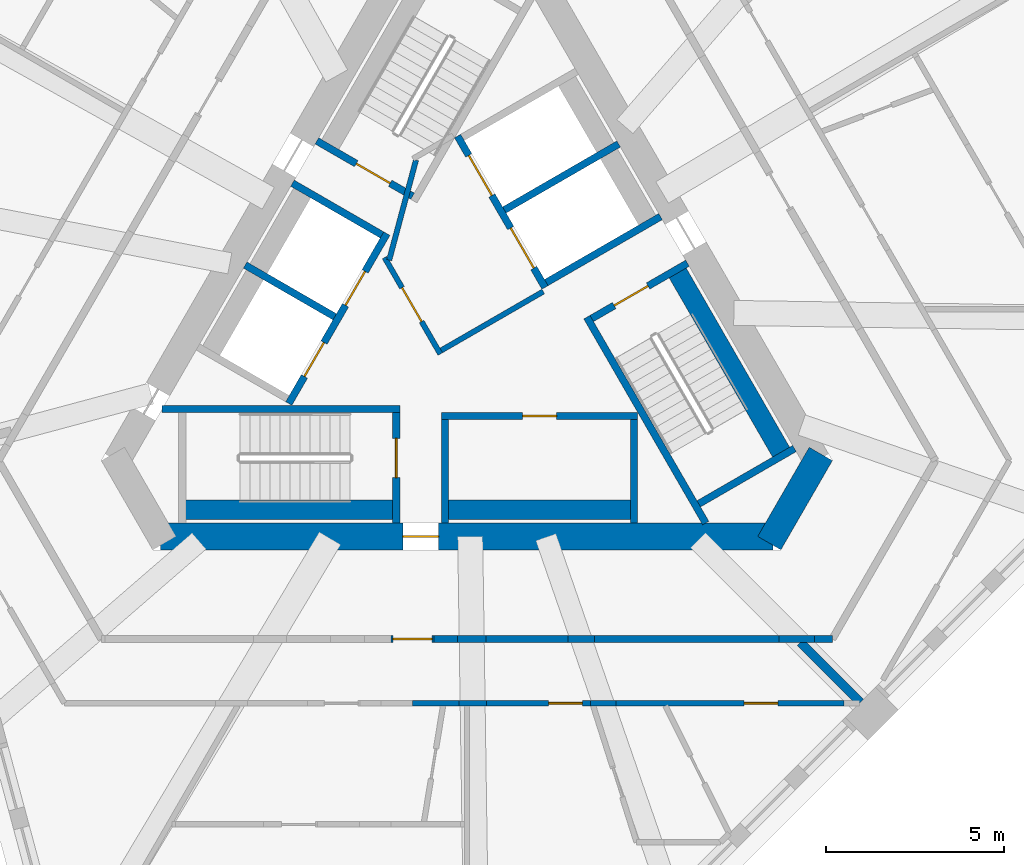
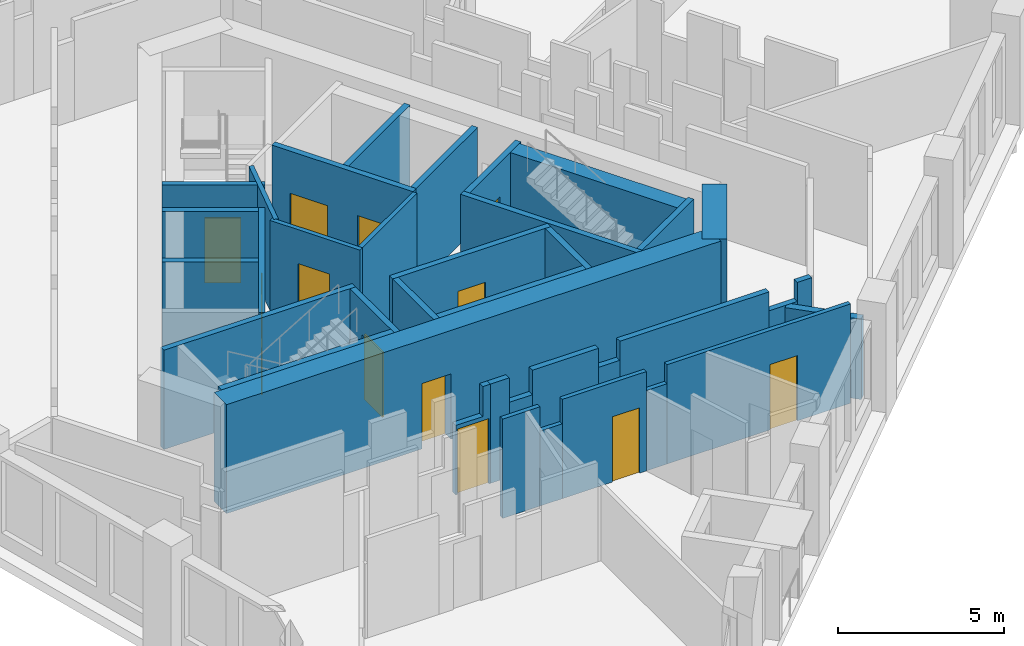
# One storey, part 4 of 13: 37 walls, 13 doors, 13 openings.
"""IFC4 building model written with IfcOpenShell, lengths in metres."""

from ifc_helpers import new_model, si_unit, direction, frame, frame_2d, origin, place, context, subcontext, project, spatial, polyline, rectangle, outline, extrude, material, layer, layer_set, type_object, element, fill, save


model = new_model("IFC4")

# Units and contexts
model_context = context("Model", 3, precision=1e-05, world=origin(), true_north=direction((0.0, 1.0)))
body_context = subcontext(model_context, "Body", "Model", "MODEL_VIEW")
ifc_project = project(units=[si_unit("LENGTHUNIT", "METRE"), si_unit("AREAUNIT", "SQUARE_METRE"), si_unit("VOLUMEUNIT", "CUBIC_METRE"), si_unit("PLANEANGLEUNIT", "RADIAN"), si_unit("MASSUNIT", "GRAM", prefix="KILO")], contexts=[model_context])

# Site, building, storey
site_placement = place(None, origin())
site = spatial("IfcSite", under=ifc_project, at=site_placement, CompositionType="ELEMENT")
building_placement = place(site_placement, origin())
building = spatial("IfcBuilding", under=site, at=building_placement, Name="Tramontana Tower", CompositionType="ELEMENT")
storey_placement = place(building_placement, frame((0.0, 0.0, 200.0)))
storey = spatial("IfcBuildingStorey", under=building, at=storey_placement, Name="L46", CompositionType="ELEMENT", Elevation=200.0)

# Wall, opening, door
ifc_material_1 = material(Name="Concrete 70 MPa", Category="concrete")
ifc_layer_1 = layer(ifc_material_1, 0.75)
ifc_layer_set_1 = layer_set([ifc_layer_1], Name="Core wall 750 70 MPa")
wall_type_1 = type_object("IfcWallType", Name="Core wall 750 70 MPa", PredefinedType="SHEAR", material=ifc_layer_set_1)
wall_1_placement = place(storey_placement, frame((-8.588134765625, -6.375, 0.0), z_axis=(0.0, 0.0, 1.0), x_axis=(1.0, 0.0, 0.0)))
wall_1 = element("IfcWall", 1, at=wall_1_placement, inside=storey, type_object=wall_type_1, Name="Core wall C3 L46", PredefinedType="SHEAR", context=body_context, shape_type="SweptSolid", body=[
    extrude(rectangle(XDim=17.17626953125, YDim=0.75, at=frame_2d((8.588134765625, 0.0))), origin(), (0.0, 0.0, 1.0), 4.0),
])
opening_1_placement = place(wall_1_placement, frame((6.793212890625, 0.0, 0.0)))
opening_1 = element("IfcOpeningElement", 2, at=opening_1_placement, cuts=wall_1, Name="Opening RG2", PredefinedType="OPENING", context=body_context, shape_type="SweptSolid", body=[
    extrude(rectangle(XDim=1.0, YDim=2.39990234375, at=frame_2d((0.5, 1.199951171875))), frame((0.0, 0.385009765625, 0.0), z_axis=(0.0, -1.0, 0.0), x_axis=(1.0, 0.0, 0.0)), (0.0, 0.0, 1.0), 0.77001953125),
])
ifc_material_2 = material(Name="Painted steel", Category="steel")
door_type_1 = type_object("IfcDoorType", Name="RING DOOR 1000", OperationType="SINGLE_SWING_LEFT", PredefinedType="DOOR", material=ifc_material_2)
door_1_placement = place(opening_1_placement, origin())
door_1 = element("IfcDoor", 3, at=door_1_placement, inside=storey, type_object=door_type_1, Name="Door RG2", OperationType="SINGLE_SWING_RIGHT", OverallHeight=2.39990234375, OverallWidth=1.0, PredefinedType="DOOR", context=body_context, shape_type="SweptSolid", body=[
    extrude(rectangle(XDim=1.0, YDim=2.39990234375, at=frame_2d((0.5, 1.199951171875))), frame((0.0, 0.02490234375, 0.0), z_axis=(0.0, -1.0, 0.0), x_axis=(1.0, 0.0, 0.0)), (0.0, 0.0, 1.0), 0.050048828125),
])
fill(opening_1, door_1)

# Walls
wall_2_placement = place(storey_placement, frame((8.479736328125, -6.5625, 0.0), z_axis=(0.0, 0.0, 1.0), x_axis=(0.499995765644, 0.866027848477, 0.0)))
element("IfcWall", 4, at=wall_2_placement, inside=storey, type_object=wall_type_1, Name="Core wall C4 L46", PredefinedType="SHEAR", context=body_context, shape_type="SweptSolid", body=[
    extrude(rectangle(XDim=2.88671875, YDim=0.75, at=frame_2d((1.443359375, 0.0))), origin(), (0.0, 0.0, 1.0), 4.0),
])
ifc_material_3 = material(Name="Blockwork", Category="masonry")
ifc_layer_2 = layer(ifc_material_3, 0.199951171875)
ifc_layer_set_2 = layer_set([ifc_layer_2], Name="ENTRY WALL 200")
wall_type_2 = type_object("IfcWallType", Name="ENTRY WALL 200", PredefinedType="SOLIDWALL", material=ifc_layer_set_2)
wall_3_placement = place(storey_placement, frame((10.248046875, -9.25, 0.0), z_axis=(0.0, 0.0, 1.0), x_axis=(-1.0, 0.0, 0.0)))
element("IfcWall", 5, at=wall_3_placement, inside=storey, type_object=wall_type_2, Name="Wall v50-ew2-0", PredefinedType="SOLIDWALL", context=body_context, shape_type="SweptSolid", body=[
    extrude(rectangle(XDim=0.503173828125, YDim=0.199951171875, at=frame_2d((0.25146484375, 0.0))), origin(), (0.0, 0.0, 1.0), 3.64990234375),
])
wall_4_placement = place(storey_placement, frame((9.744873046875, -9.25, 0.0), z_axis=(0.0, 0.0, 1.0), x_axis=(-1.0, 0.0, 0.0)))
element("IfcWall", 6, at=wall_4_placement, inside=storey, type_object=wall_type_2, Name="Wall v50-ew2-1", PredefinedType="SOLIDWALL", context=body_context, shape_type="SweptSolid", body=[
    extrude(rectangle(XDim=0.98974609375, YDim=0.199951171875, at=frame_2d((0.494873046875, 0.0))), origin(), (0.0, 0.0, 1.0), 2.949951171875),
])
wall_5_placement = place(storey_placement, frame((8.755126953125, -9.25, 0.0), z_axis=(0.0, 0.0, 1.0), x_axis=(-1.0, 0.0, 0.0)))
element("IfcWall", 7, at=wall_5_placement, inside=storey, type_object=wall_type_2, Name="Wall v50-ew2-2", PredefinedType="SOLIDWALL", context=body_context, shape_type="SweptSolid", body=[
    extrude(rectangle(XDim=5.18212890625, YDim=0.199951171875, at=frame_2d((2.591064453125, 0.0))), origin(), (0.0, 0.0, 1.0), 3.64990234375),
])
wall_6_placement = place(storey_placement, frame((3.572998046875, -9.25, 0.0), z_axis=(0.0, 0.0, 1.0), x_axis=(-1.0, 0.0, 0.0)))
element("IfcWall", 8, at=wall_6_placement, inside=storey, type_object=wall_type_2, Name="Wall v50-ew2-3", PredefinedType="SOLIDWALL", context=body_context, shape_type="SweptSolid", body=[
    extrude(rectangle(XDim=0.74072265625, YDim=0.199951171875, at=frame_2d((0.370361328125, 0.0))), origin(), (0.0, 0.0, 1.0), 2.949951171875),
])
wall_7_placement = place(storey_placement, frame((2.832275390625, -9.25, 0.0), z_axis=(0.0, 0.0, 1.0), x_axis=(-1.0, 0.0, 0.0)))
element("IfcWall", 9, at=wall_7_placement, inside=storey, type_object=wall_type_2, Name="Wall v50-ew2-4", PredefinedType="SOLIDWALL", context=body_context, shape_type="SweptSolid", body=[
    extrude(rectangle(XDim=2.29736328125, YDim=0.199951171875, at=frame_2d((1.148681640625, 0.0))), origin(), (0.0, 0.0, 1.0), 3.64990234375),
])
wall_8_placement = place(storey_placement, frame((0.534912109375, -9.25, 0.0), z_axis=(0.0, 0.0, 1.0), x_axis=(-1.0, 0.0, 0.0)))
element("IfcWall", 10, at=wall_8_placement, inside=storey, type_object=wall_type_2, Name="Wall v50-ew2-5", PredefinedType="SOLIDWALL", context=body_context, shape_type="SweptSolid", body=[
    extrude(rectangle(XDim=0.800048828125, YDim=0.199951171875, at=frame_2d((0.39990234375, 0.0))), origin(), (0.0, 0.0, 1.0), 2.75),
])
wall_9_placement = place(storey_placement, frame((-0.26513671875, -9.25, 0.0), z_axis=(0.0, 0.0, 1.0), x_axis=(-1.0, 0.0, 0.0)))
element("IfcWall", 11, at=wall_9_placement, inside=storey, type_object=wall_type_2, Name="Wall v50-ew2-6", PredefinedType="SOLIDWALL", context=body_context, shape_type="SweptSolid", body=[
    extrude(rectangle(XDim=0.656982421875, YDim=0.199951171875, at=frame_2d((0.32861328125, 0.0))), origin(), (0.0, 0.0, 1.0), 3.64990234375),
])

# Wall, opening, door
wall_10_placement = place(storey_placement, frame((-2.1220703125, -9.25, 0.0), z_axis=(0.0, 0.0, 1.0), x_axis=(1.0, 0.0, 0.0)))
wall_10 = element("IfcWall", 12, at=wall_10_placement, inside=storey, type_object=wall_type_2, Name="Wall v50-ew2-7", PredefinedType="SOLIDWALL", context=body_context, shape_type="SweptSolid", body=[
    extrude(outline(polyline([(0.0, 0.0), (1.199951171875, 0.0), (1.199951171875, 3.64990234375), (0.933349609375, 3.64990234375), (0.933349609375, 2.550048828125), (0.0, 2.550048828125), (0.0, 0.0)])), frame((0.0, 0.10009765625, 0.0), z_axis=(0.0, -1.0, 0.0), x_axis=(1.0, 0.0, 0.0)), (0.0, 0.0, 1.0), 0.199951171875),
])
opening_2_placement = place(wall_10_placement, frame((0.050048828125, 0.0, 0.0)))
opening_2 = element("IfcOpeningElement", 13, at=opening_2_placement, cuts=wall_10, Name="Opening B5A-23", PredefinedType="OPENING", context=body_context, shape_type="SweptSolid", body=[
    extrude(rectangle(XDim=1.10009765625, YDim=2.39990234375, at=frame_2d((0.550048828125, 1.199951171875))), frame((0.0, 0.10986328125, 0.0), z_axis=(0.0, -1.0, 0.0), x_axis=(1.0, 0.0, 0.0)), (0.0, 0.0, 1.0), 0.219970703125),
])
ifc_material_4 = material(Name="Painted timber", Category="wood")
door_type_2 = type_object("IfcDoorType", Name="DOOR ENTRY 1100", OperationType="SINGLE_SWING_LEFT", PredefinedType="DOOR", material=ifc_material_4)
door_2_placement = place(opening_2_placement, origin())
door_2 = element("IfcDoor", 14, at=door_2_placement, inside=storey, type_object=door_type_2, Name="Door B5A-23", OperationType="SINGLE_SWING_LEFT", OverallHeight=2.39990234375, OverallWidth=1.10009765625, PredefinedType="DOOR", context=body_context, shape_type="SweptSolid", body=[
    extrude(rectangle(XDim=1.10009765625, YDim=2.39990234375, at=frame_2d((0.550048828125, 1.199951171875))), frame((0.0, 0.02490234375, 0.0), z_axis=(0.0, -1.0, 0.0), x_axis=(1.0, 0.0, 0.0)), (0.0, 0.0, 1.0), 0.050048828125),
])
fill(opening_2, door_2)

ifc_material_5 = material(Name="Gypsum board partition")
ifc_layer_3 = layer(ifc_material_5, 0.14990234375)
ifc_layer_set_3 = layer_set([ifc_layer_3], Name="PARTITION 150")
wall_type_3 = type_object("IfcWallType", Name="PARTITION 150", PredefinedType="PARTITIONING", material=ifc_layer_set_3)
wall_11_placement = place(storey_placement, frame((-0.744140625, -1.260986328125, 0.0), z_axis=(0.0, 0.0, 1.0), x_axis=(-0.500004234368, 0.866022959057, 0.0)))
wall_11 = element("IfcWall", 15, at=wall_11_placement, inside=storey, type_object=wall_type_3, Name="Wall ff-front", PredefinedType="PARTITIONING", context=body_context, shape_type="SweptSolid", body=[
    extrude(rectangle(XDim=3.125, YDim=0.14990234375, at=frame_2d((1.5625, 0.0))), origin(), (0.0, 0.0, 1.0), 3.64990234375),
])
opening_3_placement = place(wall_11_placement, frame((1.050048828125, 0.0, 0.0)))
opening_3 = element("IfcOpeningElement", 16, at=opening_3_placement, cuts=wall_11, Name="Opening FD1", PredefinedType="OPENING", context=body_context, shape_type="SweptSolid", body=[
    extrude(rectangle(XDim=1.10009765625, YDim=2.39990234375, at=frame_2d((0.550048828125, 1.199951171875))), frame((0.0, 0.0849609375, 0.0), z_axis=(0.0, -1.0, 0.0), x_axis=(1.0, 0.0, 0.0)), (0.0, 0.0, 1.0), 0.169921875),
])
door_3_placement = place(opening_3_placement, origin())
door_3 = element("IfcDoor", 17, at=door_3_placement, inside=storey, type_object=door_type_2, Name="Door FD1", OperationType="SINGLE_SWING_RIGHT", OverallHeight=2.39990234375, OverallWidth=1.10009765625, PredefinedType="DOOR", context=body_context, shape_type="SweptSolid", body=[
    extrude(rectangle(XDim=1.10009765625, YDim=2.39990234375, at=frame_2d((0.550048828125, 1.199951171875))), frame((0.0, 0.02490234375, 0.0), z_axis=(0.0, -1.0, 0.0), x_axis=(1.0, 0.0, 0.0)), (0.0, 0.0, 1.0), 0.050048828125),
])
fill(opening_3, door_3)

# Walls
wall_12_placement = place(storey_placement, frame((-0.716796875, -1.15869140625, 0.0), z_axis=(0.0, 0.0, 1.0), x_axis=(0.866008176907, 0.50002983664, 0.0)))
element("IfcWall", 18, at=wall_12_placement, inside=storey, type_object=wall_type_3, Name="Wall ff-end0", PredefinedType="PARTITIONING", context=body_context, shape_type="SweptSolid", body=[
    extrude(rectangle(XDim=3.300048828125, YDim=0.14990234375, at=frame_2d((1.64990234375, 0.0))), origin(), (0.0, 0.0, 1.0), 3.64990234375),
])
wall_13_placement = place(storey_placement, frame((-2.177978515625, 1.372314453125, 0.0), z_axis=(0.0, 0.0, 1.0), x_axis=(0.258808958833, 0.96592852884, 0.0)))
element("IfcWall", 19, at=wall_13_placement, inside=storey, type_object=wall_type_3, Name="Wall ff-diag", PredefinedType="PARTITIONING", context=body_context, shape_type="SweptSolid", body=[
    extrude(rectangle(XDim=2.902587890625, YDim=0.14990234375, at=frame_2d((1.451171875, 0.0))), origin(), (0.0, 0.0, 1.0), 3.64990234375),
])

# Wall, opening, door
wall_14_placement = place(storey_placement, frame((10.57275390625, -11.050048828125, 0.0), z_axis=(0.0, 0.0, 1.0), x_axis=(-1.0, 0.0, 0.0)))
wall_14 = element("IfcWall", 20, at=wall_14_placement, inside=storey, type_object=wall_type_3, Name="Wall v50-pw24-1", PredefinedType="PARTITIONING", context=body_context, shape_type="SweptSolid", body=[
    extrude(rectangle(XDim=6.3896484375, YDim=0.14990234375, at=frame_2d((3.19482421875, 0.0))), origin(), (0.0, 0.0, 1.0), 3.64990234375),
])
opening_4_placement = place(wall_14_placement, frame((1.849365234375, 0.0, 0.0)))
opening_4 = element("IfcOpeningElement", 21, at=opening_4_placement, cuts=wall_14, Name="Opening B5A-08", PredefinedType="OPENING", context=body_context, shape_type="SweptSolid", body=[
    extrude(rectangle(XDim=0.949951171875, YDim=2.39990234375, at=frame_2d((0.47509765625, 1.199951171875))), frame((0.0, 0.0849609375, 0.0), z_axis=(0.0, -1.0, 0.0), x_axis=(1.0, 0.0, 0.0)), (0.0, 0.0, 1.0), 0.169921875),
])
ifc_material_6 = material(Name="Painted timber", Category="wood")
door_type_3 = type_object("IfcDoorType", Name="DOOR ROOM 950", OperationType="SINGLE_SWING_LEFT", PredefinedType="DOOR", material=ifc_material_6)
door_4_placement = place(opening_4_placement, origin())
door_4 = element("IfcDoor", 22, at=door_4_placement, inside=storey, type_object=door_type_3, Name="Door B5A-08", OperationType="SINGLE_SWING_RIGHT", OverallHeight=2.39990234375, OverallWidth=0.949951171875, PredefinedType="DOOR", context=body_context, shape_type="SweptSolid", body=[
    extrude(rectangle(XDim=0.949951171875, YDim=2.39990234375, at=frame_2d((0.47509765625, 1.199951171875))), frame((0.0, 0.02490234375, 0.0), z_axis=(0.0, -1.0, 0.0), x_axis=(1.0, 0.0, 0.0)), (0.0, 0.0, 1.0), 0.050048828125),
])
fill(opening_4, door_4)

# Wall
wall_15_placement = place(storey_placement, frame((4.18310546875, -11.050048828125, 0.0), z_axis=(0.0, 0.0, 1.0), x_axis=(-1.0, 0.0, 0.0)))
element("IfcWall", 23, at=wall_15_placement, inside=storey, type_object=wall_type_3, Name="Wall v50-pw24-2", PredefinedType="PARTITIONING", context=body_context, shape_type="SweptSolid", body=[
    extrude(rectangle(XDim=0.71435546875, YDim=0.14990234375, at=frame_2d((0.357177734375, 0.0))), origin(), (0.0, 0.0, 1.0), 2.949951171875),
])

# Wall, opening, door
wall_16_placement = place(storey_placement, frame((3.46875, -11.050048828125, 0.0), z_axis=(0.0, 0.0, 1.0), x_axis=(-1.0, 0.0, 0.0)))
wall_16 = element("IfcWall", 24, at=wall_16_placement, inside=storey, type_object=wall_type_3, Name="Wall v50-pw24-3", PredefinedType="PARTITIONING", context=body_context, shape_type="SweptSolid", body=[
    extrude(rectangle(XDim=2.919921875, YDim=0.14990234375, at=frame_2d((1.4599609375, 0.0))), origin(), (0.0, 0.0, 1.0), 3.64990234375),
])
opening_5_placement = place(wall_16_placement, frame((0.227783203125, 0.0, 0.0)))
opening_5 = element("IfcOpeningElement", 25, at=opening_5_placement, cuts=wall_16, Name="Opening B5A-07", PredefinedType="OPENING", context=body_context, shape_type="SweptSolid", body=[
    extrude(rectangle(XDim=0.949951171875, YDim=2.39990234375, at=frame_2d((0.47509765625, 1.199951171875))), frame((0.0, 0.0849609375, 0.0), z_axis=(0.0, -1.0, 0.0), x_axis=(1.0, 0.0, 0.0)), (0.0, 0.0, 1.0), 0.169921875),
])
door_5_placement = place(opening_5_placement, origin())
door_5 = element("IfcDoor", 26, at=door_5_placement, inside=storey, type_object=door_type_3, Name="Door B5A-07", OperationType="SINGLE_SWING_LEFT", OverallHeight=2.39990234375, OverallWidth=0.949951171875, PredefinedType="DOOR", context=body_context, shape_type="SweptSolid", body=[
    extrude(rectangle(XDim=0.949951171875, YDim=2.39990234375, at=frame_2d((0.47509765625, 1.199951171875))), frame((0.0, 0.02490234375, 0.0), z_axis=(0.0, -1.0, 0.0), x_axis=(1.0, 0.0, 0.0)), (0.0, 0.0, 1.0), 0.050048828125),
])
fill(opening_5, door_5)

# Walls
wall_17_placement = place(storey_placement, frame((0.548828125, -11.050048828125, 0.0), z_axis=(0.0, 0.0, 1.0), x_axis=(-1.0, 0.0, 0.0)))
element("IfcWall", 27, at=wall_17_placement, inside=storey, type_object=wall_type_3, Name="Wall v50-pw24-4", PredefinedType="PARTITIONING", context=body_context, shape_type="SweptSolid", body=[
    extrude(rectangle(XDim=0.775146484375, YDim=0.14990234375, at=frame_2d((0.3876953125, 0.0))), origin(), (0.0, 0.0, 1.0), 2.75),
])
wall_18_placement = place(storey_placement, frame((-0.226318359375, -11.050048828125, 0.0), z_axis=(0.0, 0.0, 1.0), x_axis=(-1.0, 0.0, 0.0)))
element("IfcWall", 28, at=wall_18_placement, inside=storey, type_object=wall_type_3, Name="Wall v50-pw24-5", PredefinedType="PARTITIONING", context=body_context, shape_type="SweptSolid", body=[
    extrude(rectangle(XDim=1.29541015625, YDim=0.14990234375, at=frame_2d((0.647705078125, 0.0))), origin(), (0.0, 0.0, 1.0), 3.64990234375),
])
ifc_material_7 = material(Name="Blockwork", Category="masonry")
ifc_layer_4 = layer(ifc_material_7, 0.25)
ifc_layer_set_4 = layer_set([ifc_layer_4], Name="PARTY WALL 250")
wall_type_4 = type_object("IfcWallType", Name="PARTY WALL 250", PredefinedType="SOLIDWALL", material=ifc_layer_set_4)
wall_19_placement = place(storey_placement, frame((9.35009765625, -9.35009765625, 0.0), z_axis=(0.0, 0.0, 1.0), x_axis=(0.707106781187, -0.707106781187, 0.0)))
element("IfcWall", 29, at=wall_19_placement, inside=storey, type_object=wall_type_4, Name="Wall v50-pw19-0", PredefinedType="SOLIDWALL", context=body_context, shape_type="SweptSolid", body=[
    extrude(rectangle(XDim=2.376708984375, YDim=0.25, at=frame_2d((1.1884765625, 0.0))), origin(), (0.0, 0.0, 1.0), 2.949951171875),
])
ifc_material_8 = material(Name="Concrete 70 MPa", Category="concrete")
ifc_layer_5 = layer(ifc_material_8, 0.550048828125)
ifc_layer_set_5 = layer_set([ifc_layer_5], Name="Concrete 70 MPa, 550 mm")
wall_type_5 = type_object("IfcWallType", Name="RC SHAFT BACK WALL 550", PredefinedType="SOLIDWALL", material=ifc_layer_set_5)
wall_20_placement = place(storey_placement, frame((-8.080078125, -5.625, 0.0), z_axis=(0.0, 0.0, 1.0), x_axis=(1.0, 0.0, 0.0)))
element("IfcWall", 30, at=wall_20_placement, inside=storey, type_object=wall_type_5, Name="Wall st2-back", PredefinedType="SOLIDWALL", context=body_context, shape_type="SweptSolid", body=[
    extrude(rectangle(XDim=6.2001953125, YDim=0.550048828125, at=frame_2d((3.10009765625, 0.0))), origin(), (0.0, 0.0, 1.0), 3.64990234375),
])
wall_21_placement = place(storey_placement, frame((8.911376953125, -4.18505859375, 0.0), z_axis=(0.0, 0.0, 1.0), x_axis=(-0.500009909098, 0.866019682689, 0.0)))
element("IfcWall", 31, at=wall_21_placement, inside=storey, type_object=wall_type_5, Name="Wall st3-back", PredefinedType="SOLIDWALL", context=body_context, shape_type="SweptSolid", body=[
    extrude(rectangle(XDim=6.199951171875, YDim=0.550048828125, at=frame_2d((3.10009765625, 0.0))), origin(), (0.0, 0.0, 1.0), 3.64990234375),
])
wall_22_placement = place(storey_placement, frame((-0.7099609375, -5.625, 0.0), z_axis=(0.0, 0.0, 1.0), x_axis=(1.0, 0.0, 0.0)))
element("IfcWall", 32, at=wall_22_placement, inside=storey, type_object=wall_type_5, Name="Wall row1-back", PredefinedType="SOLIDWALL", context=body_context, shape_type="SweptSolid", body=[
    extrude(rectangle(XDim=5.5, YDim=0.550048828125, at=frame_2d((2.75, 0.0))), origin(), (0.0, 0.0, 1.0), 3.64990234375),
])

# Wall, opening, door
ifc_material_9 = material(Name="Concrete 70 MPa", Category="concrete")
ifc_layer_6 = layer(ifc_material_9, 0.199951171875)
ifc_layer_set_6 = layer_set([ifc_layer_6], Name="Concrete 70 MPa, 200 mm")
wall_type_6 = type_object("IfcWallType", Name="RC STAIR AND SHAFT WALL 200", PredefinedType="SOLIDWALL", material=ifc_layer_set_6)
wall_23_placement = place(storey_placement, frame((-1.521484375, 3.164794921875, 0.0), z_axis=(0.0, 0.0, 1.0), x_axis=(-0.86600983753, 0.500026960575, 0.0)))
wall_23 = element("IfcWall", 33, at=wall_23_placement, inside=storey, type_object=wall_type_6, Name="Wall st1-near", PredefinedType="SOLIDWALL", context=body_context, shape_type="SweptSolid", body=[
    extrude(rectangle(XDim=3.099853515625, YDim=0.199951171875, at=frame_2d((1.5498046875, 0.0))), origin(), (0.0, 0.0, 1.0), 3.64990234375),
])
opening_6_placement = place(wall_23_placement, frame((0.72509765625, 0.0, 0.0)))
opening_6 = element("IfcOpeningElement", 34, at=opening_6_placement, cuts=wall_23, Name="Opening SD1", PredefinedType="OPENING", context=body_context, shape_type="SweptSolid", body=[
    extrude(rectangle(XDim=1.10009765625, YDim=2.39990234375, at=frame_2d((0.550048828125, 1.199951171875))), frame((0.0, 0.10986328125, 0.0), z_axis=(0.0, -1.0, 0.0), x_axis=(1.0, 0.0, 0.0)), (0.0, 0.0, 1.0), 0.219970703125),
])
ifc_material_10 = material(Name="Painted steel", Category="steel")
door_type_4 = type_object("IfcDoorType", Name="STAIR DOOR 1100", OperationType="SINGLE_SWING_LEFT", PredefinedType="DOOR", material=ifc_material_10)
door_6_placement = place(opening_6_placement, origin())
door_6 = element("IfcDoor", 35, at=door_6_placement, inside=storey, type_object=door_type_4, Name="Door SD1", OperationType="SINGLE_SWING_RIGHT", OverallHeight=2.39990234375, OverallWidth=1.10009765625, PredefinedType="DOOR", context=body_context, shape_type="SweptSolid", body=[
    extrude(rectangle(XDim=1.10009765625, YDim=2.39990234375, at=frame_2d((0.550048828125, 1.199951171875))), frame((0.0, 0.02490234375, 0.0), z_axis=(0.0, -1.0, 0.0), x_axis=(1.0, 0.0, 0.0)), (0.0, 0.0, 1.0), 0.050048828125),
])
fill(opening_6, door_6)

# Wall
wall_24_placement = place(storey_placement, frame((-8.544677734375, -2.800048828125, 0.0), z_axis=(0.0, 0.0, 1.0), x_axis=(1.0, 0.0, 0.0)))
element("IfcWall", 36, at=wall_24_placement, inside=storey, type_object=wall_type_6, Name="Wall st2-front", PredefinedType="SOLIDWALL", context=body_context, shape_type="SweptSolid", body=[
    extrude(rectangle(XDim=6.664794921875, YDim=0.199951171875, at=frame_2d((3.33251953125, 0.0))), origin(), (0.0, 0.0, 1.0), 3.64990234375),
])

# Wall, opening, door
wall_25_placement = place(storey_placement, frame((-1.97998046875, -2.89990234375, 0.0), z_axis=(0.0, 0.0, 1.0), x_axis=(0.0, -1.0, 0.0)))
wall_25 = element("IfcWall", 37, at=wall_25_placement, inside=storey, type_object=wall_type_6, Name="Wall st2-near", PredefinedType="SOLIDWALL", context=body_context, shape_type="SweptSolid", body=[
    extrude(rectangle(XDim=3.10009765625, YDim=0.199951171875, at=frame_2d((1.550048828125, 0.0))), origin(), (0.0, 0.0, 1.0), 3.64990234375),
])
opening_7_placement = place(wall_25_placement, frame((0.72509765625, 0.0, 0.0)))
opening_7 = element("IfcOpeningElement", 38, at=opening_7_placement, cuts=wall_25, Name="Opening SD2", PredefinedType="OPENING", context=body_context, shape_type="SweptSolid", body=[
    extrude(rectangle(XDim=1.10009765625, YDim=2.39990234375, at=frame_2d((0.550048828125, 1.199951171875))), frame((0.0, 0.10986328125, 0.0), z_axis=(0.0, -1.0, 0.0), x_axis=(1.0, 0.0, 0.0)), (0.0, 0.0, 1.0), 0.219970703125),
])
door_7_placement = place(opening_7_placement, origin())
door_7 = element("IfcDoor", 39, at=door_7_placement, inside=storey, type_object=door_type_4, Name="Door SD2", OperationType="SINGLE_SWING_LEFT", OverallHeight=2.39990234375, OverallWidth=1.10009765625, PredefinedType="DOOR", context=body_context, shape_type="SweptSolid", body=[
    extrude(rectangle(XDim=1.10009765625, YDim=2.39990234375, at=frame_2d((0.550048828125, 1.199951171875))), frame((0.0, 0.02490234375, 0.0), z_axis=(0.0, -1.0, 0.0), x_axis=(1.0, 0.0, 0.0)), (0.0, 0.0, 1.0), 0.050048828125),
])
fill(opening_7, door_7)

# Walls
wall_26_placement = place(storey_placement, frame((6.697265625, -6.0, 0.0), z_axis=(0.0, 0.0, 1.0), x_axis=(-0.499980354584, 0.866036745774, 0.0)))
element("IfcWall", 40, at=wall_26_placement, inside=storey, type_object=wall_type_6, Name="Wall st3-front", PredefinedType="SOLIDWALL", context=body_context, shape_type="SweptSolid", body=[
    extrude(rectangle(XDim=6.664794921875, YDim=0.199951171875, at=frame_2d((3.33251953125, 0.0))), origin(), (0.0, 0.0, 1.0), 3.64990234375),
])
wall_27_placement = place(storey_placement, frame((6.50146484375, -5.4609375, 0.0), z_axis=(0.0, 0.0, 1.0), x_axis=(0.86600983753, 0.500026960575, 0.0)))
element("IfcWall", 41, at=wall_27_placement, inside=storey, type_object=wall_type_6, Name="Wall st3-far", PredefinedType="SOLIDWALL", context=body_context, shape_type="SweptSolid", body=[
    extrude(rectangle(XDim=3.099853515625, YDim=0.199951171875, at=frame_2d((1.5498046875, 0.0))), origin(), (0.0, 0.0, 1.0), 3.64990234375),
])

# Wall, opening, door
wall_28_placement = place(storey_placement, frame((3.50146484375, -0.2646484375, 0.0), z_axis=(0.0, 0.0, 1.0), x_axis=(0.866043940782, 0.499967891604, 0.0)))
wall_28 = element("IfcWall", 42, at=wall_28_placement, inside=storey, type_object=wall_type_6, Name="Wall st3-near", PredefinedType="SOLIDWALL", context=body_context, shape_type="SweptSolid", body=[
    extrude(rectangle(XDim=3.099853515625, YDim=0.199951171875, at=frame_2d((1.5498046875, 0.0))), origin(), (0.0, 0.0, 1.0), 3.64990234375),
])
opening_8_placement = place(wall_28_placement, frame((0.72509765625, 0.0, 0.0)))
opening_8 = element("IfcOpeningElement", 43, at=opening_8_placement, cuts=wall_28, Name="Opening SD3", PredefinedType="OPENING", context=body_context, shape_type="SweptSolid", body=[
    extrude(rectangle(XDim=1.10009765625, YDim=2.39990234375, at=frame_2d((0.550048828125, 1.199951171875))), frame((0.0, 0.10986328125, 0.0), z_axis=(0.0, -1.0, 0.0), x_axis=(1.0, 0.0, 0.0)), (0.0, 0.0, 1.0), 0.219970703125),
])
door_8_placement = place(opening_8_placement, origin())
door_8 = element("IfcDoor", 44, at=door_8_placement, inside=storey, type_object=door_type_4, Name="Door SD3", OperationType="SINGLE_SWING_RIGHT", OverallHeight=2.39990234375, OverallWidth=1.10009765625, PredefinedType="DOOR", context=body_context, shape_type="SweptSolid", body=[
    extrude(rectangle(XDim=1.10009765625, YDim=2.39990234375, at=frame_2d((0.550048828125, 1.199951171875))), frame((0.0, 0.02490234375, 0.0), z_axis=(0.0, -1.0, 0.0), x_axis=(1.0, 0.0, 0.0)), (0.0, 0.0, 1.0), 0.050048828125),
])
fill(opening_8, door_8)

# Wall, openings, doors
wall_29_placement = place(storey_placement, frame((-2.2431640625, 2.114990234375, 0.0), z_axis=(0.0, 0.0, 1.0), x_axis=(-0.499996545922, -0.866027397988, 0.0)))
wall_29 = element("IfcWall", 45, at=wall_29_placement, inside=storey, type_object=wall_type_6, Name="Wall row0-front", PredefinedType="SOLIDWALL", context=body_context, shape_type="SweptSolid", body=[
    extrude(rectangle(XDim=5.5, YDim=0.199951171875, at=frame_2d((2.75, 0.0))), origin(), (0.0, 0.0, 1.0), 3.64990234375),
])
opening_9_placement = place(wall_29_placement, frame((1.219970703125, 0.0, 0.0)))
opening_9 = element("IfcOpeningElement", 46, at=opening_9_placement, cuts=wall_29, Name="Opening LD-P1", PredefinedType="OPENING", context=body_context, shape_type="SweptSolid", body=[
    extrude(rectangle(XDim=1.10009765625, YDim=2.10009765625, at=frame_2d((0.550048828125, 1.050048828125))), frame((0.0, 0.10986328125, 0.0), z_axis=(0.0, -1.0, 0.0), x_axis=(1.0, 0.0, 0.0)), (0.0, 0.0, 1.0), 0.219970703125),
])
opening_10_placement = place(wall_29_placement, frame((3.52490234375, 0.0, 0.0)))
opening_10 = element("IfcOpeningElement", 47, at=opening_10_placement, cuts=wall_29, Name="Opening LD-P2", PredefinedType="OPENING", context=body_context, shape_type="SweptSolid", body=[
    extrude(rectangle(XDim=1.10009765625, YDim=2.10009765625, at=frame_2d((0.550048828125, 1.050048828125))), frame((0.0, 0.10986328125, 0.0), z_axis=(0.0, -1.0, 0.0), x_axis=(1.0, 0.0, 0.0)), (0.0, 0.0, 1.0), 0.219970703125),
])
ifc_material_11 = material(Name="Brushed steel", Category="steel")
door_type_5 = type_object("IfcDoorType", Name="LANDING DOOR 1100", OperationType="SINGLE_SWING_LEFT", PredefinedType="DOOR", material=ifc_material_11)
door_9_placement = place(opening_9_placement, origin())
door_9 = element("IfcDoor", 48, at=door_9_placement, inside=storey, type_object=door_type_5, Name="Door LD-P1", OperationType="SLIDING_TO_LEFT", OverallHeight=2.10009765625, OverallWidth=1.10009765625, PredefinedType="DOOR", context=body_context, shape_type="SweptSolid", body=[
    extrude(rectangle(XDim=1.10009765625, YDim=2.10009765625, at=frame_2d((0.550048828125, 1.050048828125))), frame((0.0, 0.02490234375, 0.0), z_axis=(0.0, -1.0, 0.0), x_axis=(1.0, 0.0, 0.0)), (0.0, 0.0, 1.0), 0.050048828125),
])
fill(opening_9, door_9)
door_10_placement = place(opening_10_placement, origin())
door_10 = element("IfcDoor", 49, at=door_10_placement, inside=storey, type_object=door_type_5, Name="Door LD-P2", OperationType="SLIDING_TO_RIGHT", OverallHeight=2.10009765625, OverallWidth=1.10009765625, PredefinedType="DOOR", context=body_context, shape_type="SweptSolid", body=[
    extrude(rectangle(XDim=1.10009765625, YDim=2.10009765625, at=frame_2d((0.550048828125, 1.050048828125))), frame((0.0, 0.02490234375, 0.0), z_axis=(0.0, -1.0, 0.0), x_axis=(1.0, 0.0, 0.0)), (0.0, 0.0, 1.0), 0.050048828125),
])
fill(opening_10, door_10)

# Walls
wall_30_placement = place(storey_placement, frame((-2.379638671875, 2.078369140625, 0.0), z_axis=(0.0, 0.0, 1.0), x_axis=(-0.866032775405, 0.499987231761, 0.0)))
element("IfcWall", 50, at=wall_30_placement, inside=storey, type_object=wall_type_6, Name="Wall row0-side0", PredefinedType="SOLIDWALL", context=body_context, shape_type="SweptSolid", body=[
    extrude(rectangle(XDim=2.89990234375, YDim=0.199951171875, at=frame_2d((1.449951171875, 0.0))), origin(), (0.0, 0.0, 1.0), 3.64990234375),
])
wall_31_placement = place(storey_placement, frame((-3.70458984375, -0.216796875, 0.0), z_axis=(0.0, 0.0, 1.0), x_axis=(-0.865996321171, 0.50005036918, 0.0)))
element("IfcWall", 51, at=wall_31_placement, inside=storey, type_object=wall_type_6, Name="Wall row0-side1", PredefinedType="SOLIDWALL", context=body_context, shape_type="SweptSolid", body=[
    extrude(rectangle(XDim=2.900146484375, YDim=0.199951171875, at=frame_2d((1.4501953125, 0.0))), origin(), (0.0, 0.0, 1.0), 3.64990234375),
])

# Wall, opening, door
wall_32_placement = place(storey_placement, frame((4.7900390625, -3.0, 0.0), z_axis=(0.0, 0.0, 1.0), x_axis=(-1.0, 0.0, 0.0)))
wall_32 = element("IfcWall", 52, at=wall_32_placement, inside=storey, type_object=wall_type_6, Name="Wall row1-front", PredefinedType="SOLIDWALL", context=body_context, shape_type="SweptSolid", body=[
    extrude(rectangle(XDim=5.5, YDim=0.199951171875, at=frame_2d((2.75, 0.0))), origin(), (0.0, 0.0, 1.0), 3.64990234375),
])
opening_11_placement = place(wall_32_placement, frame((2.27490234375, 0.0, 0.0)))
opening_11 = element("IfcOpeningElement", 53, at=opening_11_placement, cuts=wall_32, Name="Opening RD-1", PredefinedType="OPENING", context=body_context, shape_type="SweptSolid", body=[
    extrude(rectangle(XDim=0.949951171875, YDim=2.39990234375, at=frame_2d((0.47509765625, 1.199951171875))), frame((0.0, 0.10986328125, 0.0), z_axis=(0.0, -1.0, 0.0), x_axis=(1.0, 0.0, 0.0)), (0.0, 0.0, 1.0), 0.219970703125),
])
door_11_placement = place(opening_11_placement, origin())
door_11 = element("IfcDoor", 54, at=door_11_placement, inside=storey, type_object=door_type_3, Name="Door RD-1", OperationType="SINGLE_SWING_LEFT", OverallHeight=2.39990234375, OverallWidth=0.949951171875, PredefinedType="DOOR", context=body_context, shape_type="SweptSolid", body=[
    extrude(rectangle(XDim=0.949951171875, YDim=2.39990234375, at=frame_2d((0.47509765625, 1.199951171875))), frame((0.0, 0.02490234375, 0.0), z_axis=(0.0, -1.0, 0.0), x_axis=(1.0, 0.0, 0.0)), (0.0, 0.0, 1.0), 0.050048828125),
])
fill(opening_11, door_11)

# Walls
for number, where, z_axis, x_axis, name in (
    (55, (-0.610107421875, -3.10009765625, 0.0), (0.0, 0.0, 1.0), (0.0, -1.0, 0.0), "Wall row1-side0"),
    (56, (4.68994140625, -3.10009765625, 0.0), (0.0, 0.0, 1.0), (0.0, -1.0, 0.0), "Wall row1-side2"),
):
    element("IfcWall", number, at=place(storey_placement, frame(where, z_axis=z_axis, x_axis=x_axis)), inside=storey, type_object=wall_type_6, Name=name, PredefinedType="SOLIDWALL", context=body_context, shape_type="SweptSolid", body=[
        extrude(rectangle(XDim=2.89990234375, YDim=0.199951171875, at=frame_2d((1.449951171875, 0.0))), origin(), (0.0, 0.0, 1.0), 3.64990234375),
    ])

# Wall, openings, doors
wall_33_placement = place(storey_placement, frame((2.190185546875, 0.6064453125, 0.0), z_axis=(0.0, 0.0, 1.0), x_axis=(-0.500002801628, 0.866023786258, 0.0)))
wall_33 = element("IfcWall", 57, at=wall_33_placement, inside=storey, type_object=wall_type_6, Name="Wall row2-front", PredefinedType="SOLIDWALL", context=body_context, shape_type="SweptSolid", body=[
    extrude(rectangle(XDim=4.89990234375, YDim=0.199951171875, at=frame_2d((2.449951171875, 0.0))), origin(), (0.0, 0.0, 1.0), 3.64990234375),
])
opening_12_placement = place(wall_33_placement, frame((0.625, 0.0, 0.0)))
opening_12 = element("IfcOpeningElement", 58, at=opening_12_placement, cuts=wall_33, Name="Opening LD-F1", PredefinedType="OPENING", context=body_context, shape_type="SweptSolid", body=[
    extrude(rectangle(XDim=1.300048828125, YDim=2.10009765625, at=frame_2d((0.64990234375, 1.050048828125))), frame((0.0, 0.10986328125, 0.0), z_axis=(0.0, -1.0, 0.0), x_axis=(1.0, 0.0, 0.0)), (0.0, 0.0, 1.0), 0.219970703125),
])
opening_13_placement = place(wall_33_placement, frame((2.97509765625, 0.0, 0.0)))
opening_13 = element("IfcOpeningElement", 59, at=opening_13_placement, cuts=wall_33, Name="Opening LD-F2", PredefinedType="OPENING", context=body_context, shape_type="SweptSolid", body=[
    extrude(rectangle(XDim=1.300048828125, YDim=2.10009765625, at=frame_2d((0.64990234375, 1.050048828125))), frame((0.0, 0.10986328125, 0.0), z_axis=(0.0, -1.0, 0.0), x_axis=(1.0, 0.0, 0.0)), (0.0, 0.0, 1.0), 0.219970703125),
])
ifc_material_12 = material(Name="Brushed steel", Category="steel")
door_type_6 = type_object("IfcDoorType", Name="LANDING DOOR 1300", OperationType="SINGLE_SWING_LEFT", PredefinedType="DOOR", material=ifc_material_12)
door_12_placement = place(opening_12_placement, origin())
door_12 = element("IfcDoor", 60, at=door_12_placement, inside=storey, type_object=door_type_6, Name="Door LD-F1", OperationType="SLIDING_TO_RIGHT", OverallHeight=2.10009765625, OverallWidth=1.300048828125, PredefinedType="DOOR", context=body_context, shape_type="SweptSolid", body=[
    extrude(rectangle(XDim=1.300048828125, YDim=2.10009765625, at=frame_2d((0.64990234375, 1.050048828125))), frame((0.0, 0.02490234375, 0.0), z_axis=(0.0, -1.0, 0.0), x_axis=(1.0, 0.0, 0.0)), (0.0, 0.0, 1.0), 0.050048828125),
])
fill(opening_12, door_12)
door_13_placement = place(opening_13_placement, origin())
door_13 = element("IfcDoor", 61, at=door_13_placement, inside=storey, type_object=door_type_6, Name="Door LD-F2", OperationType="SLIDING_TO_LEFT", OverallHeight=2.10009765625, OverallWidth=1.300048828125, PredefinedType="DOOR", context=body_context, shape_type="SweptSolid", body=[
    extrude(rectangle(XDim=1.300048828125, YDim=2.10009765625, at=frame_2d((0.64990234375, 1.050048828125))), frame((0.0, 0.02490234375, 0.0), z_axis=(0.0, -1.0, 0.0), x_axis=(1.0, 0.0, 0.0)), (0.0, 0.0, 1.0), 0.050048828125),
])
fill(opening_13, door_13)

# Walls
for number, where, z_axis, x_axis, name in (
    (62, (2.226806640625, 0.742919921875, 0.0), (0.0, 0.0, 1.0), (0.86601746898, 0.500013743233, 0.0), "Wall row2-side0"),
    (63, (1.0517578125, 2.778076171875, 0.0), (0.0, 0.0, 1.0), (0.86601746898, 0.500013743233, 0.0), "Wall row2-side1"),
):
    element("IfcWall", number, at=place(storey_placement, frame(where, z_axis=z_axis, x_axis=x_axis)), inside=storey, type_object=wall_type_6, Name=name, PredefinedType="SOLIDWALL", context=body_context, shape_type="SweptSolid", body=[
        extrude(rectangle(XDim=3.7001953125, YDim=0.199951171875, at=frame_2d((1.85009765625, 0.0))), origin(), (0.0, 0.0, 1.0), 3.64990234375),
    ])

save(model, "model.ifc")
